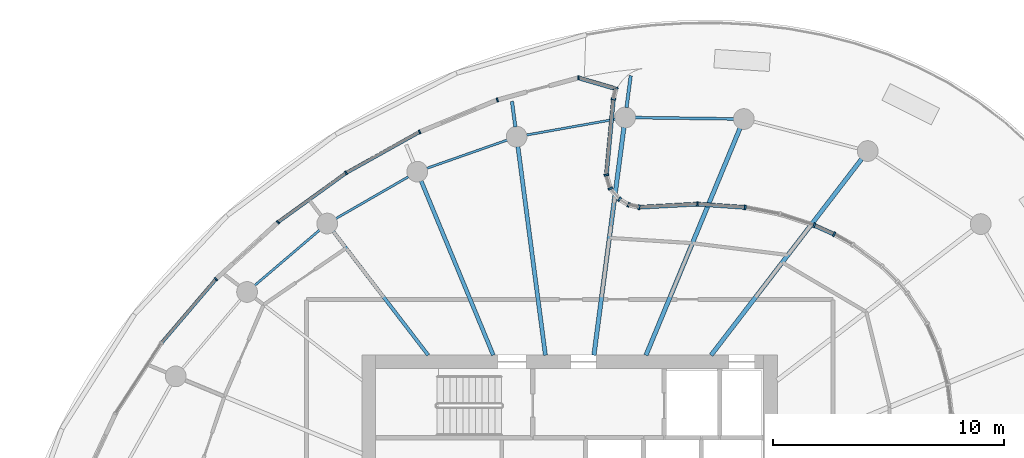
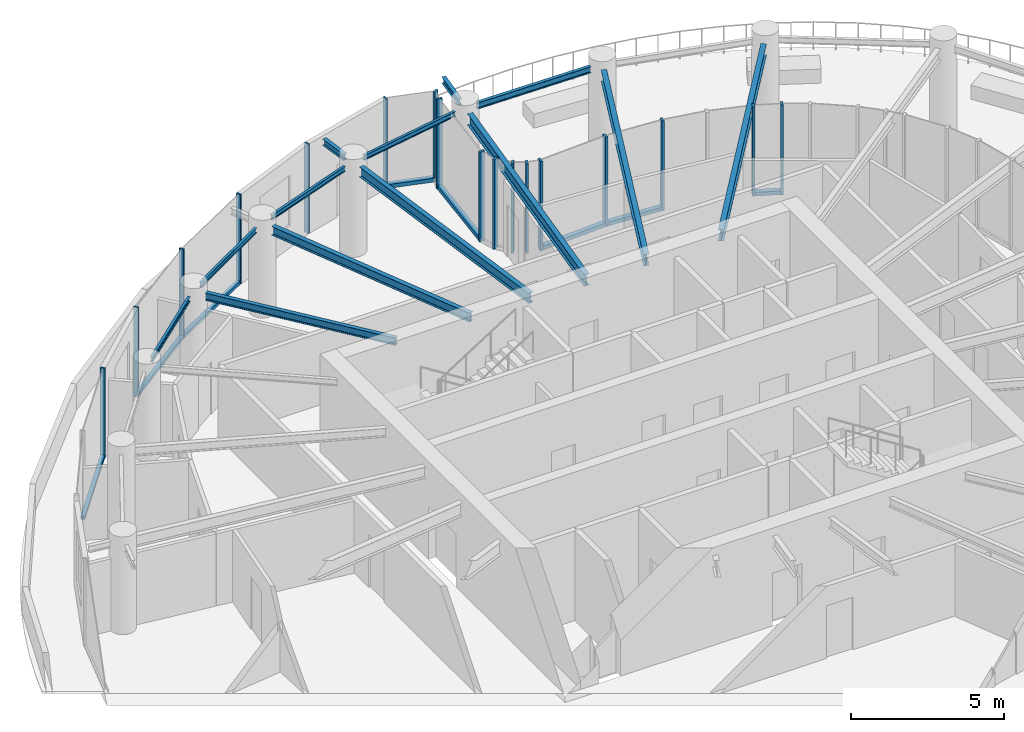
# One storey, part 5 of 19: 25 members, 13 beams, 3 elements without a shape of their own.
"""IFC4 building model written with IfcOpenShell, lengths in metres."""

from ifc_helpers import new_model, si_unit, direction, frame, origin, origin_2d, place, context, subcontext, project, spatial, rectangle, i_section, extrude, source, transform, mapped, material, layer, layer_set, material_profile, profile_set, type_object, element, aggregate, save


model = new_model("IFC4")

# Units and contexts
model_context = context("Model", 3, precision=1e-05, world=origin(), true_north=direction((0.0, 1.0)))
body_context = subcontext(model_context, "Body", "Model", "MODEL_VIEW")
ifc_project = project(units=[si_unit("LENGTHUNIT", "METRE"), si_unit("AREAUNIT", "SQUARE_METRE"), si_unit("VOLUMEUNIT", "CUBIC_METRE"), si_unit("PLANEANGLEUNIT", "RADIAN"), si_unit("MASSUNIT", "GRAM", prefix="KILO")], contexts=[model_context])

# Site, building, storey
site_placement = place(None, origin())
site = spatial("IfcSite", under=ifc_project, at=site_placement, CompositionType="ELEMENT")
building_placement = place(site_placement, origin())
building = spatial("IfcBuilding", under=site, at=building_placement, Name="Spindrift Exchange Tower", CompositionType="ELEMENT")
storey_placement = place(building_placement, frame((0.0, 0.0, 183.800048828125)))
storey = spatial("IfcBuildingStorey", under=building, at=storey_placement, Name="L44", CompositionType="ELEMENT", Elevation=183.800048828125)

# Beams
ifc_material_1 = material(Name="Steel Grade 300", Category="steel")
ifc_material_profile_1 = material_profile(ifc_material_1, i_section(OverallWidth=0.14599609375, OverallDepth=0.251953125, WebThickness=0.006103515625, FlangeThickness=0.008544921875, FilletRadius=0.011962890625, at=origin_2d()), Name="250UB31.4")
ifc_profile_set_1 = profile_set([ifc_material_profile_1], Name="Steel Grade 300")
beam_type_1 = type_object("IfcBeamType", Name="Cantilever Beam 250UB31.4 Steel Grade 300", PredefinedType="BEAM", material=ifc_profile_set_1)
shared_shape_1 = source(origin(), body_context, "Body", "SweptSolid", [
    extrude(i_section(OverallWidth=0.14599609375, OverallDepth=0.251953125, WebThickness=0.006103515625, FlangeThickness=0.008544921875, FilletRadius=0.011962890625, at=origin_2d()), origin(), (0.0, 0.0, 1.0), 1.1201171875),
])
beam_1_placement = place(storey_placement, frame((49.6474609375, 65.868896484375, 3.453857421875), z_axis=(-0.130550355306, 0.991441679944, 0.0), x_axis=(-0.991441679944, -0.130550355306, 0.0)))
element("IfcBeam", 1, at=beam_1_placement, inside=storey, type_object=beam_type_1, Name="L44 cantilever beam R07T", PredefinedType="BEAM", context=body_context, shape_type="MappedRepresentation", body=[
    mapped(shared_shape_1, transform((0.0, 0.0, 0.0), scale=1.0)),
])
ifc_material_profile_2 = material_profile(ifc_material_1, i_section(OverallWidth=0.18994140625, OverallDepth=0.4541015625, WebThickness=0.008544921875, FlangeThickness=0.0126953125, FilletRadius=0.013916015625, at=origin_2d()), Name="460UB67.1")
ifc_profile_set_2 = profile_set([ifc_material_profile_2], Name="Steel Grade 300")
beam_type_2 = type_object("IfcBeamType", Name="Floor Beam 460UB67.1 Steel Grade 300", PredefinedType="BEAM", material=ifc_profile_set_2)
shared_shape_2 = source(origin(), body_context, "Body", "SweptSolid", [
    extrude(i_section(OverallWidth=0.18994140625, OverallDepth=0.4541015625, WebThickness=0.008544921875, FlangeThickness=0.0126953125, FilletRadius=0.013916015625, at=origin_2d()), origin(), (0.0, 0.0, 1.0), 10.711181640625),
])
beam_2_placement = place(storey_placement, frame((58.12646484375, 55.984130859375, 3.35302734375), z_axis=(0.608756401092, 0.793357198322, 0.0), x_axis=(-0.793357198322, 0.608756401092, 0.0)))
element("IfcBeam", 2, at=beam_2_placement, inside=storey, type_object=beam_type_2, Name="L44 radial beam R04A", PredefinedType="BEAM", context=body_context, shape_type="MappedRepresentation", body=[
    mapped(shared_shape_2, transform((0.0, 0.0, 0.0), scale=1.0)),
])
shared_shape_3 = source(origin(), body_context, "Body", "SweptSolid", [
    extrude(i_section(OverallWidth=0.18994140625, OverallDepth=0.4541015625, WebThickness=0.008544921875, FlangeThickness=0.0126953125, FilletRadius=0.013916015625, at=origin_2d()), origin(), (0.0, 0.0, 1.0), 10.64111328125),
])
beam_3_placement = place(storey_placement, frame((55.30615234375, 55.9814453125, 3.35302734375), z_axis=(0.382672627597, 0.923884007919, 0.0), x_axis=(-0.923884007919, 0.382672627597, 0.0)))
element("IfcBeam", 3, at=beam_3_placement, inside=storey, type_object=beam_type_2, Name="L44 radial beam R05A", PredefinedType="BEAM", context=body_context, shape_type="MappedRepresentation", body=[
    mapped(shared_shape_3, transform((0.0, 0.0, 0.0), scale=1.0)),
])
shared_shape_4 = source(origin(), body_context, "Body", "SweptSolid", [
    extrude(i_section(OverallWidth=0.18994140625, OverallDepth=0.4541015625, WebThickness=0.008544921875, FlangeThickness=0.0126953125, FilletRadius=0.013916015625, at=origin_2d()), origin(), (0.0, 0.0, 1.0), 9.95703125),
])
beam_4_placement = place(storey_placement, frame((53.050537109375, 55.980224609375, 3.35302734375), z_axis=(0.130541406635, 0.991442858239, 0.0), x_axis=(-0.991442858239, 0.130541406635, 0.0)))
element("IfcBeam", 4, at=beam_4_placement, inside=storey, type_object=beam_type_2, Name="L44 radial beam R06A", PredefinedType="BEAM", context=body_context, shape_type="MappedRepresentation", body=[
    mapped(shared_shape_4, transform((0.0, 0.0, 0.0), scale=1.0)),
])
shared_shape_5 = source(origin(), body_context, "Body", "SweptSolid", [
    extrude(i_section(OverallWidth=0.14599609375, OverallDepth=0.251953125, WebThickness=0.006103515625, FlangeThickness=0.008544921875, FilletRadius=0.011962890625, at=origin_2d()), origin(), (0.0, 0.0, 1.0), 1.394287109375),
])
beam_5_placement = place(storey_placement, frame((54.46240234375, 66.70458984375, 3.453857421875), z_axis=(0.130626633366, 0.99143163287, 0.0), x_axis=(-0.99143163287, 0.130626633366, 0.0)))
element("IfcBeam", 5, at=beam_5_placement, inside=storey, type_object=beam_type_1, Name="L44 cantilever beam R06T", PredefinedType="BEAM", context=body_context, shape_type="MappedRepresentation", body=[
    mapped(shared_shape_5, transform((0.0, 0.0, 0.0), scale=1.0)),
])
ifc_material_profile_3 = material_profile(ifc_material_1, i_section(OverallWidth=0.177978515625, OverallDepth=0.403076171875, WebThickness=0.007568359375, FlangeThickness=0.010986328125, FilletRadius=0.013916015625, at=origin_2d()), Name="410UB53.7")
ifc_profile_set_3 = profile_set([ifc_material_profile_3], Name="Steel Grade 300")
beam_type_3 = type_object("IfcBeamType", Name="Floor Beam 410UB53.7 Steel Grade 300", PredefinedType="BEAM", material=ifc_profile_set_3)
shared_shape_6 = source(origin(), body_context, "Body", "SweptSolid", [
    extrude(i_section(OverallWidth=0.177978515625, OverallDepth=0.403076171875, WebThickness=0.007568359375, FlangeThickness=0.010986328125, FilletRadius=0.013916015625, at=origin_2d()), origin(), (0.0, 0.0, 1.0), 9.11376953125),
])
beam_6_placement = place(storey_placement, frame((50.949462890625, 55.980224609375, 3.37841796875), z_axis=(-0.130536972606, 0.991443442049, 0.0), x_axis=(-0.991443442049, -0.130536972606, 0.0)))
element("IfcBeam", 6, at=beam_6_placement, inside=storey, type_object=beam_type_3, Name="L44 radial beam R07A", PredefinedType="BEAM", context=body_context, shape_type="MappedRepresentation", body=[
    mapped(shared_shape_6, transform((0.0, 0.0, 0.0), scale=1.0)),
])
ifc_material_profile_4 = material_profile(ifc_material_1, i_section(OverallWidth=0.1708984375, OverallDepth=0.35205078125, WebThickness=0.0068359375, FlangeThickness=0.009765625, FilletRadius=0.013916015625, at=origin_2d()), Name="360UB44.7")
ifc_profile_set_4 = profile_set([ifc_material_profile_4], Name="Steel Grade 300")
beam_type_4 = type_object("IfcBeamType", Name="Floor Beam 360UB44.7 Steel Grade 300", PredefinedType="BEAM", material=ifc_profile_set_4)
shared_shape_7 = source(origin(), body_context, "Body", "SweptSolid", [
    extrude(i_section(OverallWidth=0.1708984375, OverallDepth=0.35205078125, WebThickness=0.0068359375, FlangeThickness=0.009765625, FilletRadius=0.013916015625, at=origin_2d()), origin(), (0.0, 0.0, 1.0), 8.1748046875),
])
beam_7_placement = place(storey_placement, frame((48.69384765625, 55.9814453125, 3.404052734375), z_axis=(-0.382655117626, 0.923891260352, 0.0), x_axis=(-0.923891260352, -0.382655117626, 0.0)))
element("IfcBeam", 7, at=beam_7_placement, inside=storey, type_object=beam_type_4, Name="L44 radial beam R08A", PredefinedType="BEAM", context=body_context, shape_type="MappedRepresentation", body=[
    mapped(shared_shape_7, transform((0.0, 0.0, 0.0), scale=1.0)),
])
ifc_material_profile_5 = material_profile(ifc_material_1, i_section(OverallWidth=0.14892578125, OverallDepth=0.298095703125, WebThickness=0.005615234375, FlangeThickness=0.008056640625, FilletRadius=0.012939453125, at=origin_2d()), Name="310UB32.0")
ifc_profile_set_5 = profile_set([ifc_material_profile_5], Name="Steel Grade 300")
beam_type_5 = type_object("IfcBeamType", Name="Floor Beam 310UB32.0 Steel Grade 300", PredefinedType="BEAM", material=ifc_profile_set_5)
shared_shape_8 = source(origin(), body_context, "Body", "SweptSolid", [
    extrude(i_section(OverallWidth=0.14892578125, OverallDepth=0.298095703125, WebThickness=0.005615234375, FlangeThickness=0.008056640625, FilletRadius=0.012939453125, at=origin_2d()), origin(), (0.0, 0.0, 1.0), 6.753173828125),
])
beam_8_placement = place(storey_placement, frame((45.87353515625, 55.984130859375, 3.430908203125), z_axis=(-0.608761639459, 0.793353178807, 0.0), x_axis=(-0.793353178807, -0.608761639459, 0.0)))
element("IfcBeam", 8, at=beam_8_placement, inside=storey, type_object=beam_type_5, Name="L44 radial beam R09A", PredefinedType="BEAM", context=body_context, shape_type="MappedRepresentation", body=[
    mapped(shared_shape_8, transform((0.0, 0.0, 0.0), scale=1.0)),
])
ifc_material_profile_6 = material_profile(ifc_material_1, i_section(OverallWidth=0.1240234375, OverallDepth=0.248046875, WebThickness=0.0048828125, FlangeThickness=0.008056640625, FilletRadius=0.011962890625, at=origin_2d()), Name="250UB25.7")
ifc_profile_set_6 = profile_set([ifc_material_profile_6], Name="Steel Grade 300")
beam_type_6 = type_object("IfcBeamType", Name="Edge Beam 250UB25.7 Steel Grade 300", PredefinedType="SPANDREL", material=ifc_profile_set_6)
shared_shape_9 = source(origin(), body_context, "Body", "SweptSolid", [
    extrude(i_section(OverallWidth=0.1240234375, OverallDepth=0.248046875, WebThickness=0.0048828125, FlangeThickness=0.008056640625, FilletRadius=0.011962890625, at=origin_2d()), origin(), (0.0, 0.0, 1.0), 4.27685546875),
])
beam_9_placement = place(storey_placement, frame((59.11279296875, 66.21533203125, 3.4560546875), z_axis=(-0.999910013527, 0.013415097807, 0.0), x_axis=(-0.013415097807, -0.999910013527, 0.0)))
element("IfcBeam", 9, at=beam_9_placement, inside=storey, type_object=beam_type_6, Name="L44 edge beam E05", PredefinedType="SPANDREL", context=body_context, shape_type="MappedRepresentation", body=[
    mapped(shared_shape_9, transform((0.0, 0.0, 0.0), scale=1.0)),
])
ifc_material_profile_7 = material_profile(ifc_material_1, i_section(OverallWidth=0.09912109375, OverallDepth=0.197998046875, WebThickness=0.00439453125, FlangeThickness=0.007080078125, FilletRadius=0.010986328125, at=origin_2d()), Name="200UB18.2")
ifc_profile_set_7 = profile_set([ifc_material_profile_7], Name="Steel Grade 300")
beam_type_7 = type_object("IfcBeamType", Name="Edge Beam 200UB18.2 Steel Grade 300", PredefinedType="SPANDREL", material=ifc_profile_set_7)
shared_shape_10 = source(origin(), body_context, "Body", "SweptSolid", [
    extrude(i_section(OverallWidth=0.09912109375, OverallDepth=0.197998046875, WebThickness=0.00439453125, FlangeThickness=0.007080078125, FilletRadius=0.010986328125, at=origin_2d()), origin(), (0.0, 0.0, 1.0), 3.916259765625),
])
beam_10_placement = place(storey_placement, frame((53.98291015625, 66.203125, 3.48095703125), z_axis=(-0.984558687682, -0.175054821441, 0.0), x_axis=(0.175054821441, -0.984558687682, 0.0)))
element("IfcBeam", 10, at=beam_10_placement, inside=storey, type_object=beam_type_7, Name="L44 edge beam E06", PredefinedType="SPANDREL", context=body_context, shape_type="MappedRepresentation", body=[
    mapped(shared_shape_10, transform((0.0, 0.0, 0.0), scale=1.0)),
])
shared_shape_11 = source(origin(), body_context, "Body", "SweptSolid", [
    extrude(i_section(OverallWidth=0.09912109375, OverallDepth=0.197998046875, WebThickness=0.00439453125, FlangeThickness=0.007080078125, FilletRadius=0.010986328125, at=origin_2d()), origin(), (0.0, 0.0, 1.0), 3.700439453125),
])
beam_11_placement = place(storey_placement, frame((49.298095703125, 65.300048828125, 3.48095703125), z_axis=(-0.943515334916, -0.331328858957, 0.0), x_axis=(0.331328858957, -0.943515334916, 0.0)))
element("IfcBeam", 11, at=beam_11_placement, inside=storey, type_object=beam_type_7, Name="L44 edge beam E07", PredefinedType="SPANDREL", context=body_context, shape_type="MappedRepresentation", body=[
    mapped(shared_shape_11, transform((0.0, 0.0, 0.0), scale=1.0)),
])
shared_shape_12 = source(origin(), body_context, "Body", "SweptSolid", [
    extrude(i_section(OverallWidth=0.09912109375, OverallDepth=0.197998046875, WebThickness=0.00439453125, FlangeThickness=0.007080078125, FilletRadius=0.010986328125, at=origin_2d()), origin(), (0.0, 0.0, 1.0), 3.64208984375),
])
beam_12_placement = place(storey_placement, frame((45.028564453125, 63.716552734375, 3.48095703125), z_axis=(-0.866364093123, -0.499412913476, 0.0), x_axis=(0.499412913476, -0.866364093123, 0.0)))
element("IfcBeam", 12, at=beam_12_placement, inside=storey, type_object=beam_type_7, Name="L44 edge beam E08", PredefinedType="SPANDREL", context=body_context, shape_type="MappedRepresentation", body=[
    mapped(shared_shape_12, transform((0.0, 0.0, 0.0), scale=1.0)),
])
shared_shape_13 = source(origin(), body_context, "Body", "SweptSolid", [
    extrude(i_section(OverallWidth=0.09912109375, OverallDepth=0.197998046875, WebThickness=0.00439453125, FlangeThickness=0.007080078125, FilletRadius=0.010986328125, at=origin_2d()), origin(), (0.0, 0.0, 1.0), 3.703857421875),
])
beam_13_placement = place(storey_placement, frame((41.173583984375, 61.40380859375, 3.48095703125), z_axis=(-0.7606692863, -0.64913961278, 0.0), x_axis=(0.64913961278, -0.7606692863, 0.0)))
element("IfcBeam", 13, at=beam_13_placement, inside=storey, type_object=beam_type_7, Name="L44 edge beam E09", PredefinedType="SPANDREL", context=body_context, shape_type="MappedRepresentation", body=[
    mapped(shared_shape_13, transform((0.0, 0.0, 0.0), scale=1.0)),
])

# Curtain wall, members
ifc_material_2 = material(Name="Fritted laminated glass with bronze frame", Category="glass")
ifc_layer_1 = layer(ifc_material_2, 0.199951171875)
ifc_layer_set_1 = layer_set([ifc_layer_1], Name="SKY GARDEN BRONZE GLAZED WALL")
curtain_wall_type_1 = type_object("IfcCurtainWallType", Name="SKY GARDEN BRONZE GLAZED WALL", PredefinedType="NOTDEFINED", material=ifc_layer_set_1)
curtain_wall_1_placement = place(storey_placement, origin())
curtain_wall_1 = element("IfcCurtainWall", 14, at=curtain_wall_1_placement, inside=storey, type_object=curtain_wall_type_1, Name="L44 Sky Garden Bronze Glazed Wall run 9", PredefinedType="NOTDEFINED")
ifc_material_3 = material(Name="Bronze anodised aluminium", Category="aluminium")
ifc_material_profile_8 = material_profile(ifc_material_3, rectangle(XDim=0.0849609375, YDim=0.199951171875, at=origin_2d()), Name="SKY GARDEN BRONZE GLAZED WALL MULLION 85X200")
ifc_profile_set_8 = profile_set([ifc_material_profile_8], Name="Bronze anodised aluminium")
member_type_1 = type_object("IfcMemberType", Name="SKY GARDEN BRONZE GLAZED WALL MULLION 85X200", PredefinedType="MULLION", material=ifc_profile_set_8)
shared_shape_14 = source(origin(), body_context, "Body", "SweptSolid", [
    extrude(rectangle(XDim=0.0849609375, YDim=0.199951171875, at=origin_2d()), origin(), (0.0, 0.0, 1.0), 3.579833984375),
])
member_1_placement = place(storey_placement, frame((63.44970703125, 61.22119140625, 0.0), z_axis=(0.0, 0.0, 1.0), x_axis=(-0.892999432649, 0.450057788832, 0.0)))
member_1 = element("IfcMember", 15, at=member_1_placement, type_object=member_type_1, Name="L44 mullion CW-G.45", PredefinedType="MULLION", context=body_context, shape_type="MappedRepresentation", body=[
    mapped(shared_shape_14, transform((0.0, 0.0, 0.0), scale=1.0)),
])
member_2_placement = place(storey_placement, frame((62.591552734375, 61.607421875, 0.0), z_axis=(0.0, 0.0, 1.0), x_axis=(-0.932844117945, 0.36028024039, 0.0)))
member_2 = element("IfcMember", 16, at=member_2_placement, type_object=member_type_1, Name="L44 mullion CW-G.46", PredefinedType="MULLION", context=body_context, shape_type="MappedRepresentation", body=[
    mapped(shared_shape_14, transform((0.0, 0.0, 0.0), scale=1.0)),
])
member_3_placement = place(storey_placement, frame((59.600830078125, 62.3837890625, 0.0), z_axis=(0.0, 0.0, 1.0), x_axis=(-0.991412777559, 0.130769661972, 0.0)))
member_3 = element("IfcMember", 17, at=member_3_placement, type_object=member_type_1, Name="L44 mullion CW-G.48", PredefinedType="MULLION", context=body_context, shape_type="MappedRepresentation", body=[
    mapped(shared_shape_14, transform((0.0, 0.0, 0.0), scale=1.0)),
])
member_4_placement = place(storey_placement, frame((57.535888671875, 62.52685546875, 0.0), z_axis=(0.0, 0.0, 1.0), x_axis=(-0.999971707941, 0.007522188407, 0.0)))
member_4 = element("IfcMember", 18, at=member_4_placement, type_object=member_type_1, Name="L44 mullion CW-G.49", PredefinedType="MULLION", context=body_context, shape_type="MappedRepresentation", body=[
    mapped(shared_shape_14, transform((0.0, 0.0, 0.0), scale=1.0)),
])

curtain_wall_2_placement = place(storey_placement, origin())
curtain_wall_2 = element("IfcCurtainWall", 19, at=curtain_wall_2_placement, inside=storey, type_object=curtain_wall_type_1, Name="L44 Sky Garden Bronze Glazed Wall run 10", PredefinedType="NOTDEFINED")
member_5_placement = place(storey_placement, frame((55.0029296875, 62.389404296875, 0.0), z_axis=(0.0, 0.0, 1.0), x_axis=(-0.995982135315, 0.089552141981, 0.0)))
member_5 = element("IfcMember", 20, at=member_5_placement, type_object=member_type_1, Name="L44 mullion CW-G.50", PredefinedType="MULLION", context=body_context, shape_type="MappedRepresentation", body=[
    mapped(shared_shape_14, transform((0.0, 0.0, 0.0), scale=1.0)),
])
member_6_placement = place(storey_placement, frame((54.55078125, 62.4970703125, 0.0), z_axis=(0.0, 0.0, 1.0), x_axis=(-0.927498034753, 0.373828029352, 0.0)))
member_6 = element("IfcMember", 21, at=member_6_placement, type_object=member_type_1, Name="L44 mullion CW-G.51", PredefinedType="MULLION", context=body_context, shape_type="MappedRepresentation", body=[
    mapped(shared_shape_14, transform((0.0, 0.0, 0.0), scale=1.0)),
])
member_7_placement = place(storey_placement, frame((54.15478515625, 62.73046875, 0.0), z_axis=(0.0, 0.0, 1.0), x_axis=(-0.760693489126, 0.649111250559, 0.0)))
member_7 = element("IfcMember", 22, at=member_7_placement, type_object=member_type_1, Name="L44 mullion CW-G.52", PredefinedType="MULLION", context=body_context, shape_type="MappedRepresentation", body=[
    mapped(shared_shape_14, transform((0.0, 0.0, 0.0), scale=1.0)),
])
member_8_placement = place(storey_placement, frame((53.765380859375, 63.20166015625, 0.0), z_axis=(0.0, 0.0, 1.0), x_axis=(-0.472629615483, 0.881261168195, 0.0)))
member_8 = element("IfcMember", 23, at=member_8_placement, type_object=member_type_1, Name="L44 mullion CW-G.53", PredefinedType="MULLION", context=body_context, shape_type="MappedRepresentation", body=[
    mapped(shared_shape_14, transform((0.0, 0.0, 0.0), scale=1.0)),
])
member_9_placement = place(storey_placement, frame((53.58837890625, 63.78662109375, 0.0), z_axis=(0.0, 0.0, 1.0), x_axis=(-0.100490839942, 0.994937983539, 0.0)))
member_9 = element("IfcMember", 24, at=member_9_placement, type_object=member_type_1, Name="L44 mullion CW-G.54", PredefinedType="MULLION", context=body_context, shape_type="MappedRepresentation", body=[
    mapped(shared_shape_14, transform((0.0, 0.0, 0.0), scale=1.0)),
])
member_10_placement = place(storey_placement, frame((53.893798828125, 67.079345703125, 0.0), z_axis=(0.0, 0.0, 1.0), x_axis=(0.169876662314, 0.985465331506, 0.0)))
member_10 = element("IfcMember", 25, at=member_10_placement, type_object=member_type_1, Name="L44 mullion CW-G.55", PredefinedType="MULLION", context=body_context, shape_type="MappedRepresentation", body=[
    mapped(shared_shape_14, transform((0.0, 0.0, 0.0), scale=1.0)),
])
member_11_placement = place(storey_placement, frame((54.006103515625, 67.520263671875, 0.0), z_axis=(0.0, 0.0, 1.0), x_axis=(-0.496155404781, 0.868233732532, 0.0)))
member_11 = element("IfcMember", 26, at=member_11_placement, type_object=member_type_1, Name="L44 mullion CW-G.56", PredefinedType="MULLION", context=body_context, shape_type="MappedRepresentation", body=[
    mapped(shared_shape_14, transform((0.0, 0.0, 0.0), scale=1.0)),
])

ifc_layer_2 = layer(ifc_material_2, 0.169921875)
ifc_layer_set_2 = layer_set([ifc_layer_2], Name="ZONE 4 BRONZE FRITTED WALL")
curtain_wall_type_2 = type_object("IfcCurtainWallType", Name="ZONE 4 BRONZE FRITTED WALL", PredefinedType="NOTDEFINED", material=ifc_layer_set_2)
curtain_wall_3_placement = place(storey_placement, origin())
curtain_wall_3 = element("IfcCurtainWall", 27, at=curtain_wall_3_placement, inside=storey, type_object=curtain_wall_type_2, Name="L44 Zone 4 Bronze Fritted Wall run 1", PredefinedType="NOTDEFINED")
ifc_material_profile_9 = material_profile(ifc_material_3, rectangle(XDim=0.06494140625, YDim=0.169921875, at=origin_2d()), Name="ZONE 4 BRONZE FRITTED WALL MULLION 65X170")
ifc_profile_set_9 = profile_set([ifc_material_profile_9], Name="Bronze anodised aluminium")
member_type_2 = type_object("IfcMemberType", Name="ZONE 4 BRONZE FRITTED WALL MULLION 65X170", PredefinedType="MULLION", material=ifc_profile_set_9)
shared_shape_15 = source(origin(), body_context, "Body", "SweptSolid", [
    extrude(rectangle(XDim=0.06494140625, YDim=0.169921875, at=origin_2d()), origin(), (0.0, 0.0, 1.0), 3.579833984375),
])
member_12_placement = place(storey_placement, frame((52.3837890625, 67.992919921875, 0.0), z_axis=(0.0, 0.0, 1.0), x_axis=(-0.999959135315, 0.009040337433, 0.0)))
member_12 = element("IfcMember", 28, at=member_12_placement, type_object=member_type_2, Name="L44 mullion CW-4.1", PredefinedType="MULLION", context=body_context, shape_type="MappedRepresentation", body=[
    mapped(shared_shape_15, transform((0.0, 0.0, 0.0), scale=1.0)),
])
member_13_placement = place(storey_placement, frame((48.868896484375, 67.037353515625, 0.0), z_axis=(0.0, 0.0, 1.0), x_axis=(-0.946721146048, -0.322054454442, 0.0)))
member_13 = element("IfcMember", 29, at=member_13_placement, type_object=member_type_2, Name="L44 mullion CW-4.2", PredefinedType="MULLION", context=body_context, shape_type="MappedRepresentation", body=[
    mapped(shared_shape_15, transform((0.0, 0.0, 0.0), scale=1.0)),
])
member_14_placement = place(storey_placement, frame((45.50048828125, 65.6513671875, 0.0), z_axis=(0.0, 0.0, 1.0), x_axis=(-0.900548828262, -0.434754882567, 0.0)))
member_14 = element("IfcMember", 30, at=member_14_placement, type_object=member_type_2, Name="L44 mullion CW-4.3", PredefinedType="MULLION", context=body_context, shape_type="MappedRepresentation", body=[
    mapped(shared_shape_15, transform((0.0, 0.0, 0.0), scale=1.0)),
])
member_15_placement = place(storey_placement, frame((42.319580078125, 63.87548828125, 0.0), z_axis=(0.0, 0.0, 1.0), x_axis=(-0.84328971364, -0.537459262521, 0.0)))
member_15 = element("IfcMember", 31, at=member_15_placement, type_object=member_type_2, Name="L44 mullion CW-4.4", PredefinedType="MULLION", context=body_context, shape_type="MappedRepresentation", body=[
    mapped(shared_shape_15, transform((0.0, 0.0, 0.0), scale=1.0)),
])
member_16_placement = place(storey_placement, frame((39.366943359375, 61.7421875, 0.0), z_axis=(0.0, 0.0, 1.0), x_axis=(-0.77488684847, -0.632099969995, 0.0)))
member_16 = element("IfcMember", 32, at=member_16_placement, type_object=member_type_2, Name="L44 mullion CW-4.5", PredefinedType="MULLION", context=body_context, shape_type="MappedRepresentation", body=[
    mapped(shared_shape_15, transform((0.0, 0.0, 0.0), scale=1.0)),
])
member_17_placement = place(storey_placement, frame((36.683837890625, 59.2783203125, 0.0), z_axis=(0.0, 0.0, 1.0), x_axis=(-0.69413768723, -0.719842254363, 0.0)))
member_17 = element("IfcMember", 33, at=member_17_placement, type_object=member_type_2, Name="L44 mullion CW-4.6", PredefinedType="MULLION", context=body_context, shape_type="MappedRepresentation", body=[
    mapped(shared_shape_15, transform((0.0, 0.0, 0.0), scale=1.0)),
])
ifc_material_profile_10 = material_profile(ifc_material_3, rectangle(XDim=0.14990234375, YDim=0.125, at=origin_2d()), Name="ZONE 4 BRONZE FRITTED WALL TRANSOM 150X125")
ifc_profile_set_10 = profile_set([ifc_material_profile_10], Name="Bronze anodised aluminium")
member_type_3 = type_object("IfcMemberType", Name="ZONE 4 BRONZE FRITTED WALL TRANSOM 150X125", PredefinedType="USERDEFINED", material=ifc_profile_set_10)
shared_shape_16 = source(origin(), body_context, "Body", "SweptSolid", [
    extrude(rectangle(XDim=0.14990234375, YDim=0.125, at=origin_2d()), origin(), (0.0, 0.0, 1.0), 3.57763671875),
])
member_18_placement = place(storey_placement, frame((45.471923828125, 65.635498046875, 0.0625), z_axis=(-0.873122051382, -0.487501675269, 0.0), x_axis=(0.487501675269, -0.873122051382, 0.0)))
member_18 = element("IfcMember", 34, at=member_18_placement, type_object=member_type_3, Name="L44 transom CW-4.3", ObjectType="TRANSOM", PredefinedType="USERDEFINED", context=body_context, shape_type="MappedRepresentation", body=[
    mapped(shared_shape_16, transform((0.0, 0.0, 0.0), scale=1.0)),
])
member_19_placement = place(storey_placement, frame((36.662841796875, 59.253662109375, 0.0625), z_axis=(-0.649188240337, -0.760627785851, 0.0), x_axis=(0.760627785851, -0.649188240337, 0.0)))
member_19 = element("IfcMember", 35, at=member_19_placement, type_object=member_type_3, Name="L44 transom CW-4.6", ObjectType="TRANSOM", PredefinedType="USERDEFINED", context=body_context, shape_type="MappedRepresentation", body=[
    mapped(shared_shape_16, transform((0.0, 0.0, 0.0), scale=1.0)),
])
shared_shape_17 = source(origin(), body_context, "Body", "SweptSolid", [
    extrude(rectangle(XDim=0.14990234375, YDim=0.125, at=origin_2d()), origin(), (0.0, 0.0, 1.0), 3.577880859375),
])
member_20_placement = place(storey_placement, frame((42.29345703125, 63.8564453125, 0.0625), z_axis=(-0.810591050508, -0.585612626944, 0.0), x_axis=(0.585612626944, -0.810591050508, 0.0)))
member_20 = element("IfcMember", 36, at=member_20_placement, type_object=member_type_3, Name="L44 transom CW-4.4", ObjectType="TRANSOM", PredefinedType="USERDEFINED", context=body_context, shape_type="MappedRepresentation", body=[
    mapped(shared_shape_17, transform((0.0, 0.0, 0.0), scale=1.0)),
])
aggregate(curtain_wall_3, [member_12, member_13, member_14, member_18, member_15, member_20, member_16, member_17, member_19])

# Member
ifc_material_profile_11 = material_profile(ifc_material_3, rectangle(XDim=0.179931640625, YDim=0.14990234375, at=origin_2d()), Name="SKY GARDEN BRONZE GLAZED WALL TRANSOM 180X150")
ifc_profile_set_11 = profile_set([ifc_material_profile_11], Name="Bronze anodised aluminium")
member_type_4 = type_object("IfcMemberType", Name="SKY GARDEN BRONZE GLAZED WALL TRANSOM 180X150", PredefinedType="USERDEFINED", material=ifc_profile_set_11)
shared_shape_18 = source(origin(), body_context, "Body", "SweptSolid", [
    extrude(rectangle(XDim=0.179931640625, YDim=0.14990234375, at=origin_2d()), origin(), (0.0, 0.0, 1.0), 0.85595703125),
])
member_21_placement = place(storey_placement, frame((63.410888671875, 61.23876953125, 0.074951171875), z_axis=(-0.911990880822, 0.410210474389, 0.0), x_axis=(-0.410210474389, -0.911990880822, 0.0)))
member_21 = element("IfcMember", 37, at=member_21_placement, type_object=member_type_4, Name="L44 transom CW-G.45", ObjectType="TRANSOM", PredefinedType="USERDEFINED", context=body_context, shape_type="MappedRepresentation", body=[
    mapped(shared_shape_18, transform((0.0, 0.0, 0.0), scale=1.0)),
])

shared_shape_19 = source(origin(), body_context, "Body", "SweptSolid", [
    extrude(rectangle(XDim=0.179931640625, YDim=0.14990234375, at=origin_2d()), origin(), (0.0, 0.0, 1.0), 1.984619140625),
])
member_22_placement = place(storey_placement, frame((59.558349609375, 62.38671875, 0.074951171875), z_axis=(-0.997607564621, 0.069131375008, 0.0), x_axis=(-0.069131375008, -0.997607564621, 0.0)))
member_22 = element("IfcMember", 38, at=member_22_placement, type_object=member_type_4, Name="L44 transom CW-G.48", ObjectType="TRANSOM", PredefinedType="USERDEFINED", context=body_context, shape_type="MappedRepresentation", body=[
    mapped(shared_shape_19, transform((0.0, 0.0, 0.0), scale=1.0)),
])

shared_shape_20 = source(origin(), body_context, "Body", "SweptSolid", [
    extrude(rectangle(XDim=0.179931640625, YDim=0.14990234375, at=origin_2d()), origin(), (0.0, 0.0, 1.0), 2.451904296875),
])
member_23_placement = place(storey_placement, frame((57.49365234375, 62.5244140625, 0.074951171875), z_axis=(-0.998537192208, -0.054069175845, 0.0), x_axis=(0.054069175845, -0.998537192208, 0.0)))
member_23 = element("IfcMember", 39, at=member_23_placement, type_object=member_type_4, Name="L44 transom CW-G.49", ObjectType="TRANSOM", PredefinedType="USERDEFINED", context=body_context, shape_type="MappedRepresentation", body=[
    mapped(shared_shape_20, transform((0.0, 0.0, 0.0), scale=1.0)),
])

aggregate(curtain_wall_1, [member_1, member_21, member_2, member_3, member_22, member_4, member_23])

shared_shape_21 = source(origin(), body_context, "Body", "SweptSolid", [
    extrude(rectangle(XDim=0.179931640625, YDim=0.14990234375, at=origin_2d()), origin(), (0.0, 0.0, 1.0), 3.2216796875),
])
member_24_placement = place(storey_placement, frame((53.592529296875, 63.828857421875, 0.074951171875), z_axis=(0.092298389411, 0.995731393154, 0.0), x_axis=(-0.995731393154, 0.092298389411, 0.0)))
member_24 = element("IfcMember", 40, at=member_24_placement, type_object=member_type_4, Name="L44 transom CW-G.54", ObjectType="TRANSOM", PredefinedType="USERDEFINED", context=body_context, shape_type="MappedRepresentation", body=[
    mapped(shared_shape_21, transform((0.0, 0.0, 0.0), scale=1.0)),
])

shared_shape_22 = source(origin(), body_context, "Body", "SweptSolid", [
    extrude(rectangle(XDim=0.179931640625, YDim=0.14990234375, at=origin_2d()), origin(), (0.0, 0.0, 1.0), 1.604736328125),
])
member_25_placement = place(storey_placement, frame((53.965087890625, 67.5322265625, 0.074951171875), z_axis=(-0.96005791765, 0.279801348741, 0.0), x_axis=(-0.279801348741, -0.96005791765, 0.0)))
member_25 = element("IfcMember", 41, at=member_25_placement, type_object=member_type_4, Name="L44 transom CW-G.56", ObjectType="TRANSOM", PredefinedType="USERDEFINED", context=body_context, shape_type="MappedRepresentation", body=[
    mapped(shared_shape_22, transform((0.0, 0.0, 0.0), scale=1.0)),
])

aggregate(curtain_wall_2, [member_5, member_6, member_7, member_8, member_9, member_24, member_10, member_11, member_25])

save(model, "model.ifc")
